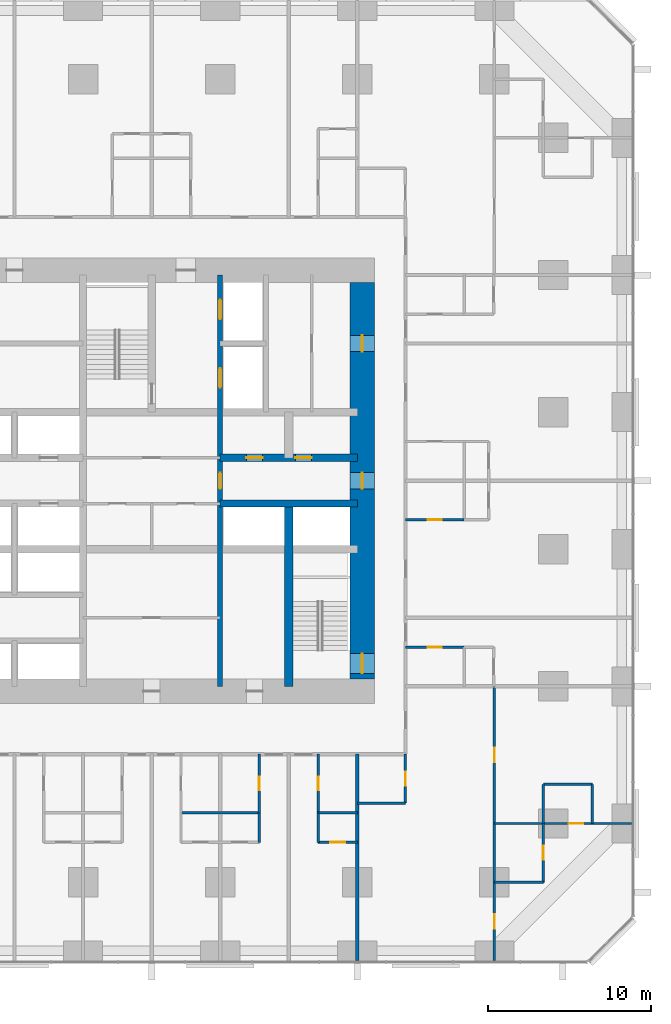
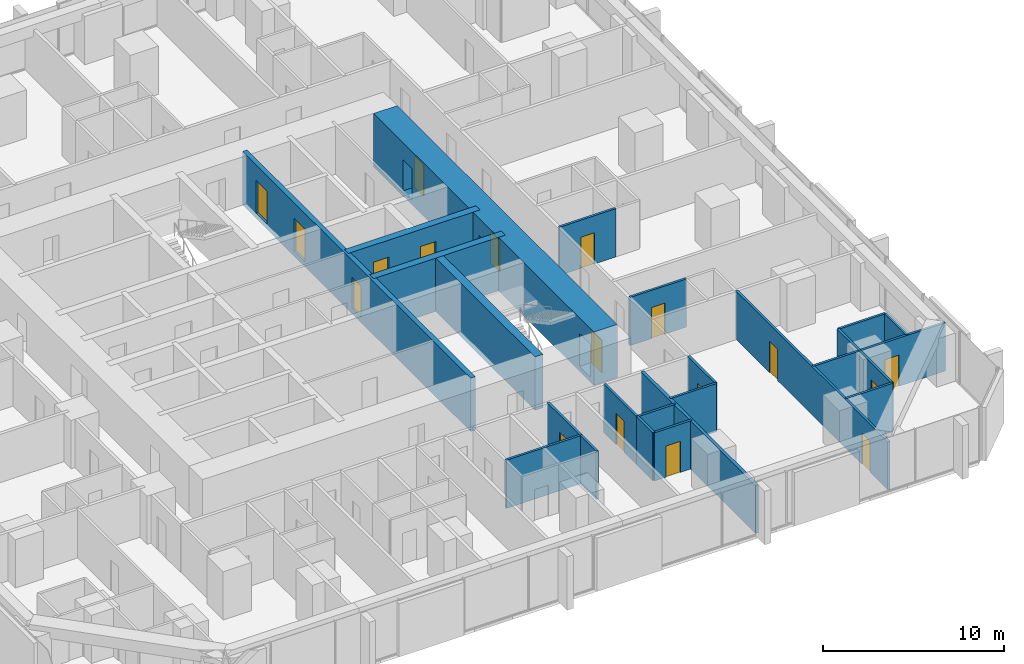
# One storey, part 13 of 17: 24 walls, 18 doors, 18 openings.
"""IFC4 building model written with IfcOpenShell, lengths in metres."""

from ifc_helpers import new_model, si_unit, direction, frame, frame_2d, origin, place, context, subcontext, project, spatial, rectangle, extrude, material, layer, layer_set, type_object, element, fill, save


model = new_model("IFC4")

# Units and contexts
model_context = context("Model", 3, precision=1e-05, world=origin(), true_north=direction((0.0, 1.0)))
body_context = subcontext(model_context, "Body", "Model", "MODEL_VIEW")
ifc_project = project(units=[si_unit("LENGTHUNIT", "METRE"), si_unit("AREAUNIT", "SQUARE_METRE"), si_unit("VOLUMEUNIT", "CUBIC_METRE"), si_unit("PLANEANGLEUNIT", "RADIAN"), si_unit("MASSUNIT", "GRAM", prefix="KILO")], contexts=[model_context])

# Site, building, storey
site_placement = place(None, origin())
site = spatial("IfcSite", under=ifc_project, at=site_placement, CompositionType="ELEMENT")
building_placement = place(site_placement, origin())
building = spatial("IfcBuilding", under=site, at=building_placement, Name="Dunama Terrace Hotel", CompositionType="ELEMENT")
storey_placement = place(building_placement, frame((0.0, 0.0, 70.199951171875)))
storey = spatial("IfcBuildingStorey", under=building, at=storey_placement, Name="L17", CompositionType="ELEMENT", Elevation=70.199951171875)

# Wall, opening, door
ifc_material_1 = material(Name="Gypsum board partition", Category="masonry")
ifc_layer_1 = layer(ifc_material_1, 0.14990234375)
ifc_layer_set_1 = layer_set([ifc_layer_1], Name="Bathroom partition 150")
wall_type_1 = type_object("IfcWallType", Name="Bathroom partition 150", PredefinedType="PARTITIONING", material=ifc_layer_set_1)
wall_1_placement = place(storey_placement, frame((36.0, 9.050048828125, 0.0), z_axis=(0.0, 0.0, 1.0), x_axis=(0.0, 1.0, 0.0)))
wall_1 = element("IfcWall", 1, at=wall_1_placement, inside=storey, type_object=wall_type_1, Name="Bathroom partition 150 L17", PredefinedType="PARTITIONING", context=body_context, shape_type="SweptSolid", body=[
    extrude(rectangle(XDim=3.599853515625, YDim=0.14990234375, at=frame_2d((1.7998046875, 0.0))), origin(), (0.0, 0.0, 1.0), 3.25),
])
opening_1_placement = place(wall_1_placement, frame((1.375, 0.0, 0.0)))
opening_1 = element("IfcOpeningElement", 2, at=opening_1_placement, cuts=wall_1, Name="Opening L17-19-022", PredefinedType="OPENING", context=body_context, shape_type="SweptSolid", body=[
    extrude(rectangle(XDim=0.85009765625, YDim=2.10009765625, at=frame_2d((0.425048828125, 1.050048828125))), frame((0.0, 0.0849609375, 0.0), z_axis=(0.0, -1.0, 0.0), x_axis=(1.0, 0.0, 0.0)), (0.0, 0.0, 1.0), 0.169921875),
])
ifc_material_2 = material(Name="Timber door with steel frame", Category="steel")
door_type_1 = type_object("IfcDoorType", Name="Bathroom door 850", OperationType="SINGLE_SWING_LEFT", PredefinedType="DOOR", material=ifc_material_2)
door_1_placement = place(opening_1_placement, origin())
door_1 = element("IfcDoor", 3, at=door_1_placement, inside=storey, type_object=door_type_1, Name="Door to en-suite bathroom L17-19-022, type D2", OperationType="SINGLE_SWING_RIGHT", OverallHeight=2.10009765625, OverallWidth=0.85009765625, PredefinedType="DOOR", context=body_context, shape_type="SweptSolid", body=[
    extrude(rectangle(XDim=0.85009765625, YDim=2.10009765625, at=frame_2d((0.425048828125, 1.050048828125))), frame((0.0, 0.02490234375, 0.0), z_axis=(0.0, -1.0, 0.0), x_axis=(1.0, 0.0, 0.0)), (0.0, 0.0, 1.0), 0.050048828125),
])
fill(opening_1, door_1)

wall_2_placement = place(storey_placement, frame((39.60009765625, 9.050048828125, 0.0), z_axis=(0.0, 0.0, 1.0), x_axis=(0.0, 1.0, 0.0)))
wall_2 = element("IfcWall", 4, at=wall_2_placement, inside=storey, type_object=wall_type_1, Name="Bathroom partition 150 L17", PredefinedType="PARTITIONING", context=body_context, shape_type="SweptSolid", body=[
    extrude(rectangle(XDim=3.599853515625, YDim=0.14990234375, at=frame_2d((1.7998046875, 0.0))), origin(), (0.0, 0.0, 1.0), 3.25),
])
opening_2_placement = place(wall_2_placement, frame((1.375, 0.0, 0.0)))
opening_2 = element("IfcOpeningElement", 5, at=opening_2_placement, cuts=wall_2, Name="Opening L17-19-025", PredefinedType="OPENING", context=body_context, shape_type="SweptSolid", body=[
    extrude(rectangle(XDim=0.85009765625, YDim=2.10009765625, at=frame_2d((0.425048828125, 1.050048828125))), frame((0.0, 0.0849609375, 0.0), z_axis=(0.0, -1.0, 0.0), x_axis=(1.0, 0.0, 0.0)), (0.0, 0.0, 1.0), 0.169921875),
])
door_2_placement = place(opening_2_placement, frame((0.85009765625, 0.0, 0.0), z_axis=(0.0, 0.0, 1.0), x_axis=(-1.0, 0.0, 0.0)))
door_2 = element("IfcDoor", 6, at=door_2_placement, inside=storey, type_object=door_type_1, Name="Door to en-suite bathroom L17-19-025, type D2", OperationType="SINGLE_SWING_LEFT", OverallHeight=2.10009765625, OverallWidth=0.85009765625, PredefinedType="DOOR", context=body_context, shape_type="SweptSolid", body=[
    extrude(rectangle(XDim=0.85009765625, YDim=2.10009765625, at=frame_2d((0.425048828125, 1.050048828125))), frame((0.0, 0.025146484375, 0.0), z_axis=(0.0, -1.0, 0.0), x_axis=(1.0, 0.0, 0.0)), (0.0, 0.0, 1.0), 0.050048828125),
])
fill(opening_2, door_2)

wall_3_placement = place(storey_placement, frame((44.949951171875, 9.64990234375, 0.0), z_axis=(0.0, 0.0, 1.0), x_axis=(0.0, 1.0, 0.0)))
wall_3 = element("IfcWall", 7, at=wall_3_placement, inside=storey, type_object=wall_type_1, Name="Bathroom partition 150 L17", PredefinedType="PARTITIONING", context=body_context, shape_type="SweptSolid", body=[
    extrude(rectangle(XDim=3.0, YDim=0.14990234375, at=frame_2d((1.5, 0.0))), origin(), (0.0, 0.0, 1.0), 3.25),
])
opening_3_placement = place(wall_3_placement, frame((1.074951171875, 0.0, 0.0)))
opening_3 = element("IfcOpeningElement", 8, at=opening_3_placement, cuts=wall_3, Name="Opening L17-19-067", PredefinedType="OPENING", context=body_context, shape_type="SweptSolid", body=[
    extrude(rectangle(XDim=0.85009765625, YDim=2.10009765625, at=frame_2d((0.425048828125, 1.050048828125))), frame((0.0, 0.0849609375, 0.0), z_axis=(0.0, -1.0, 0.0), x_axis=(1.0, 0.0, 0.0)), (0.0, 0.0, 1.0), 0.169921875),
])
door_3_placement = place(opening_3_placement, origin())
door_3 = element("IfcDoor", 9, at=door_3_placement, inside=storey, type_object=door_type_1, Name="Door to powder room L17-19-067, type D2", OperationType="SINGLE_SWING_RIGHT", OverallHeight=2.10009765625, OverallWidth=0.85009765625, PredefinedType="DOOR", context=body_context, shape_type="SweptSolid", body=[
    extrude(rectangle(XDim=0.85009765625, YDim=2.10009765625, at=frame_2d((0.425048828125, 1.050048828125))), frame((0.0, 0.02490234375, 0.0), z_axis=(0.0, -1.0, 0.0), x_axis=(1.0, 0.0, 0.0)), (0.0, 0.0, 1.0), 0.050048828125),
])
fill(opening_3, door_3)

wall_4_placement = place(storey_placement, frame((53.39990234375, 4.800048828125, 0.0), z_axis=(0.0, 0.0, 1.0), x_axis=(0.0, 1.0, 0.0)))
wall_4 = element("IfcWall", 10, at=wall_4_placement, inside=storey, type_object=wall_type_1, Name="Bathroom partition 150 L17", PredefinedType="PARTITIONING", context=body_context, shape_type="SweptSolid", body=[
    extrude(rectangle(XDim=3.599853515625, YDim=0.14990234375, at=frame_2d((1.7998046875, 0.0))), origin(), (0.0, 0.0, 1.0), 3.25),
])
opening_4_placement = place(wall_4_placement, frame((1.375, 0.0, 0.0)))
opening_4 = element("IfcOpeningElement", 11, at=opening_4_placement, cuts=wall_4, Name="Opening L17-19-069", PredefinedType="OPENING", context=body_context, shape_type="SweptSolid", body=[
    extrude(rectangle(XDim=0.85009765625, YDim=2.10009765625, at=frame_2d((0.425048828125, 1.050048828125))), frame((0.0, 0.0849609375, 0.0), z_axis=(0.0, -1.0, 0.0), x_axis=(1.0, 0.0, 0.0)), (0.0, 0.0, 1.0), 0.169921875),
])
door_4_placement = place(opening_4_placement, origin())
door_4 = element("IfcDoor", 12, at=door_4_placement, inside=storey, type_object=door_type_1, Name="Door to en-suite bathroom L17-19-069, type D2", OperationType="SINGLE_SWING_RIGHT", OverallHeight=2.10009765625, OverallWidth=0.85009765625, PredefinedType="DOOR", context=body_context, shape_type="SweptSolid", body=[
    extrude(rectangle(XDim=0.85009765625, YDim=2.10009765625, at=frame_2d((0.425048828125, 1.050048828125))), frame((0.0, 0.02490234375, 0.0), z_axis=(0.0, -1.0, 0.0), x_axis=(1.0, 0.0, 0.0)), (0.0, 0.0, 1.0), 0.050048828125),
])
fill(opening_4, door_4)

# Walls
wall_5_placement = place(storey_placement, frame((50.39990234375, 4.800048828125, 0.0), z_axis=(0.0, 0.0, 1.0), x_axis=(1.0, 0.0, 0.0)))
element("IfcWall", 13, at=wall_5_placement, inside=storey, type_object=wall_type_1, Name="Bathroom partition 150 L17", PredefinedType="PARTITIONING", context=body_context, shape_type="SweptSolid", body=[
    extrude(rectangle(XDim=3.0, YDim=0.14990234375, at=frame_2d((1.5, 0.0))), origin(), (0.0, 0.0, 1.0), 3.25),
])
wall_6_placement = place(storey_placement, frame((42.0, 9.64990234375, 0.0), z_axis=(0.0, 0.0, 1.0), x_axis=(1.0, 0.0, 0.0)))
element("IfcWall", 14, at=wall_6_placement, inside=storey, type_object=wall_type_1, Name="Bathroom partition 150 L17", PredefinedType="PARTITIONING", context=body_context, shape_type="SweptSolid", body=[
    extrude(rectangle(XDim=2.949951171875, YDim=0.14990234375, at=frame_2d((1.47509765625, 0.0))), origin(), (0.0, 0.0, 1.0), 3.25),
])

# Wall, opening, door
wall_7_placement = place(storey_placement, frame((44.949951171875, 19.199951171875, 0.0), z_axis=(0.0, 0.0, 1.0), x_axis=(1.0, 0.0, 0.0)))
wall_7 = element("IfcWall", 15, at=wall_7_placement, inside=storey, type_object=wall_type_1, Name="Bathroom partition 150 L17", PredefinedType="PARTITIONING", context=body_context, shape_type="SweptSolid", body=[
    extrude(rectangle(XDim=3.60009765625, YDim=0.14990234375, at=frame_2d((1.800048828125, 0.0))), origin(), (0.0, 0.0, 1.0), 3.25),
])
opening_5_placement = place(wall_7_placement, frame((1.375, 0.0, 0.0)))
opening_5 = element("IfcOpeningElement", 16, at=opening_5_placement, cuts=wall_7, Name="Opening L17-19-028", PredefinedType="OPENING", context=body_context, shape_type="SweptSolid", body=[
    extrude(rectangle(XDim=0.85009765625, YDim=2.10009765625, at=frame_2d((0.425048828125, 1.050048828125))), frame((0.0, 0.0849609375, 0.0), z_axis=(0.0, -1.0, 0.0), x_axis=(1.0, 0.0, 0.0)), (0.0, 0.0, 1.0), 0.169921875),
])
door_5_placement = place(opening_5_placement, frame((0.85009765625, 0.0, 0.0), z_axis=(0.0, 0.0, 1.0), x_axis=(-1.0, 0.0, 0.0)))
door_5 = element("IfcDoor", 17, at=door_5_placement, inside=storey, type_object=door_type_1, Name="Door to en-suite bathroom L17-19-028, type D2", OperationType="SINGLE_SWING_RIGHT", OverallHeight=2.10009765625, OverallWidth=0.85009765625, PredefinedType="DOOR", context=body_context, shape_type="SweptSolid", body=[
    extrude(rectangle(XDim=0.85009765625, YDim=2.10009765625, at=frame_2d((0.425048828125, 1.050048828125))), frame((0.0, 0.025146484375, 0.0), z_axis=(0.0, -1.0, 0.0), x_axis=(1.0, 0.0, 0.0)), (0.0, 0.0, 1.0), 0.050048828125),
])
fill(opening_5, door_5)

wall_8_placement = place(storey_placement, frame((44.949951171875, 27.0, 0.0), z_axis=(0.0, 0.0, 1.0), x_axis=(1.0, 0.0, 0.0)))
wall_8 = element("IfcWall", 18, at=wall_8_placement, inside=storey, type_object=wall_type_1, Name="Bathroom partition 150 L17", PredefinedType="PARTITIONING", context=body_context, shape_type="SweptSolid", body=[
    extrude(rectangle(XDim=3.60009765625, YDim=0.14990234375, at=frame_2d((1.800048828125, 0.0))), origin(), (0.0, 0.0, 1.0), 3.25),
])
opening_6_placement = place(wall_8_placement, frame((1.375, 0.0, 0.0)))
opening_6 = element("IfcOpeningElement", 19, at=opening_6_placement, cuts=wall_8, Name="Opening L17-19-031", PredefinedType="OPENING", context=body_context, shape_type="SweptSolid", body=[
    extrude(rectangle(XDim=0.85009765625, YDim=2.10009765625, at=frame_2d((0.425048828125, 1.050048828125))), frame((0.0, 0.0849609375, 0.0), z_axis=(0.0, -1.0, 0.0), x_axis=(1.0, 0.0, 0.0)), (0.0, 0.0, 1.0), 0.169921875),
])
door_6_placement = place(opening_6_placement, origin())
door_6 = element("IfcDoor", 20, at=door_6_placement, inside=storey, type_object=door_type_1, Name="Door to en-suite bathroom L17-19-031, type D2", OperationType="SINGLE_SWING_LEFT", OverallHeight=2.10009765625, OverallWidth=0.85009765625, PredefinedType="DOOR", context=body_context, shape_type="SweptSolid", body=[
    extrude(rectangle(XDim=0.85009765625, YDim=2.10009765625, at=frame_2d((0.425048828125, 1.050048828125))), frame((0.0, 0.02490234375, 0.0), z_axis=(0.0, -1.0, 0.0), x_axis=(1.0, 0.0, 0.0)), (0.0, 0.0, 1.0), 0.050048828125),
])
fill(opening_6, door_6)

# Wall, openings, doors
ifc_material_3 = material(Name="Concrete C50/60", Category="concrete")
ifc_layer_2 = layer(ifc_material_3, 0.300048828125)
ifc_layer_set_2 = layer_set([ifc_layer_2], Name="Core inner wall 300")
wall_type_2 = type_object("IfcWallType", Name="Core inner wall 300", PredefinedType="SHEAR", material=ifc_layer_set_2)
wall_9_placement = place(storey_placement, frame((33.60009765625, 16.800048828125, -0.349853515625), z_axis=(0.0, 0.0, 1.0), x_axis=(0.0, 1.0, 0.0)))
wall_9 = element("IfcWall", 21, at=wall_9_placement, inside=storey, type_object=wall_type_2, Name="Core inner wall 300 L17", PredefinedType="SHEAR", context=body_context, shape_type="SweptSolid", body=[
    extrude(rectangle(XDim=25.199951171875, YDim=0.300048828125, at=frame_2d((12.60009765625, 0.0))), origin(), (0.0, 0.0, 1.0), 3.599853515625),
])
opening_7_placement = place(wall_9_placement, frame((22.5, 0.0, 0.35009765625)))
opening_7 = element("IfcOpeningElement", 22, at=opening_7_placement, cuts=wall_9, Name="Opening L17-19-007", PredefinedType="OPENING", context=body_context, shape_type="SweptSolid", body=[
    extrude(rectangle(XDim=1.199951171875, YDim=2.199951171875, at=frame_2d((0.60009765625, 1.10009765625))), frame((0.0, 0.159912109375, 0.0), z_axis=(0.0, -1.0, 0.0), x_axis=(1.0, 0.0, 0.0)), (0.0, 0.0, 1.0), 0.320068359375),
])
opening_8_placement = place(wall_9_placement, frame((18.300048828125, 0.0, 0.35009765625)))
opening_8 = element("IfcOpeningElement", 23, at=opening_8_placement, cuts=wall_9, Name="Opening L17-19-008", PredefinedType="OPENING", context=body_context, shape_type="SweptSolid", body=[
    extrude(rectangle(XDim=1.199951171875, YDim=2.199951171875, at=frame_2d((0.60009765625, 1.10009765625))), frame((0.0, 0.159912109375, 0.0), z_axis=(0.0, -1.0, 0.0), x_axis=(1.0, 0.0, 0.0)), (0.0, 0.0, 1.0), 0.320068359375),
])
opening_9_placement = place(wall_9_placement, frame((12.10009765625, 0.0, 0.35009765625)))
opening_9 = element("IfcOpeningElement", 24, at=opening_9_placement, cuts=wall_9, Name="Opening L17-19-088", PredefinedType="OPENING", context=body_context, shape_type="SweptSolid", body=[
    extrude(rectangle(XDim=1.0, YDim=2.10009765625, at=frame_2d((0.5, 1.050048828125))), frame((0.0, 0.159912109375, 0.0), z_axis=(0.0, -1.0, 0.0), x_axis=(1.0, 0.0, 0.0)), (0.0, 0.0, 1.0), 0.320068359375),
])
ifc_material_4 = material(Name="Stainless steel lift door", Category="steel")
door_type_2 = type_object("IfcDoorType", Name="Firefighting lift landing door 1200", OperationType="DOUBLE_DOOR_SLIDING", PredefinedType="DOOR", material=ifc_material_4)
door_7_placement = place(opening_7_placement, origin())
door_7 = element("IfcDoor", 25, at=door_7_placement, inside=storey, type_object=door_type_2, Name="Landing door FL1 L17-19-007, type LD2", OperationType="DOUBLE_DOOR_SLIDING", OverallHeight=2.199951171875, OverallWidth=1.199951171875, PredefinedType="DOOR", context=body_context, shape_type="SweptSolid", body=[
    extrude(rectangle(XDim=1.199951171875, YDim=2.199951171875, at=frame_2d((0.60009765625, 1.10009765625))), frame((0.0, 0.02490234375, 0.0), z_axis=(0.0, -1.0, 0.0), x_axis=(1.0, 0.0, 0.0)), (0.0, 0.0, 1.0), 0.050048828125),
])
fill(opening_7, door_7)
door_8_placement = place(opening_8_placement, origin())
door_8 = element("IfcDoor", 26, at=door_8_placement, inside=storey, type_object=door_type_2, Name="Landing door FL2 L17-19-008, type LD2", OperationType="DOUBLE_DOOR_SLIDING", OverallHeight=2.199951171875, OverallWidth=1.199951171875, PredefinedType="DOOR", context=body_context, shape_type="SweptSolid", body=[
    extrude(rectangle(XDim=1.199951171875, YDim=2.199951171875, at=frame_2d((0.60009765625, 1.10009765625))), frame((0.0, 0.02490234375, 0.0), z_axis=(0.0, -1.0, 0.0), x_axis=(1.0, 0.0, 0.0)), (0.0, 0.0, 1.0), 0.050048828125),
])
fill(opening_8, door_8)
ifc_material_5 = material(Name="Timber door with steel frame", Category="steel")
door_type_3 = type_object("IfcDoorType", Name="Service door 1000", OperationType="SINGLE_SWING_LEFT", PredefinedType="DOOR", material=ifc_material_5)
door_9_placement = place(opening_9_placement, origin())
door_9 = element("IfcDoor", 27, at=door_9_placement, inside=storey, type_object=door_type_3, Name="Door to staff passage L17-19-088, type D7", OperationType="SINGLE_SWING_LEFT", OverallHeight=2.10009765625, OverallWidth=1.0, PredefinedType="DOOR", context=body_context, shape_type="SweptSolid", body=[
    extrude(rectangle(XDim=1.0, YDim=2.10009765625, at=frame_2d((0.5, 1.050048828125))), frame((0.0, 0.02490234375, 0.0), z_axis=(0.0, -1.0, 0.0), x_axis=(1.0, 0.0, 0.0)), (0.0, 0.0, 1.0), 0.050048828125),
])
fill(opening_9, door_9)

# Wall
ifc_material_6 = material(Name="Concrete C50/60", Category="concrete")
ifc_layer_3 = layer(ifc_material_6, 0.449951171875)
ifc_layer_set_3 = layer_set([ifc_layer_3], Name="Core inner wall 450")
wall_type_3 = type_object("IfcWallType", Name="Core inner wall 450", PredefinedType="SHEAR", material=ifc_layer_set_3)
wall_10_placement = place(storey_placement, frame((33.60009765625, 28.0, -0.349853515625), z_axis=(0.0, 0.0, 1.0), x_axis=(1.0, 0.0, 0.0)))
element("IfcWall", 28, at=wall_10_placement, inside=storey, type_object=wall_type_3, Name="Core inner wall 450 L17", PredefinedType="SHEAR", context=body_context, shape_type="SweptSolid", body=[
    extrude(rectangle(XDim=8.39990234375, YDim=0.449951171875, at=frame_2d((4.199951171875, 0.0))), origin(), (0.0, 0.0, 1.0), 3.599853515625),
])

# Wall, openings, doors
wall_11_placement = place(storey_placement, frame((33.60009765625, 30.800048828125, -0.349853515625), z_axis=(0.0, 0.0, 1.0), x_axis=(1.0, 0.0, 0.0)))
wall_11 = element("IfcWall", 29, at=wall_11_placement, inside=storey, type_object=wall_type_3, Name="Core inner wall 450 L17", PredefinedType="SHEAR", context=body_context, shape_type="SweptSolid", body=[
    extrude(rectangle(XDim=8.39990234375, YDim=0.449951171875, at=frame_2d((4.199951171875, 0.0))), origin(), (0.0, 0.0, 1.0), 3.599853515625),
])
opening_10_placement = place(wall_11_placement, frame((1.60009765625, 0.0, 0.35009765625)))
opening_10 = element("IfcOpeningElement", 30, at=opening_10_placement, cuts=wall_11, Name="Opening L17-19-092", PredefinedType="OPENING", context=body_context, shape_type="SweptSolid", body=[
    extrude(rectangle(XDim=1.0, YDim=2.10009765625, at=frame_2d((0.5, 1.050048828125))), frame((0.0, 0.23486328125, 0.0), z_axis=(0.0, -1.0, 0.0), x_axis=(1.0, 0.0, 0.0)), (0.0, 0.0, 1.0), 0.469970703125),
])
opening_11_placement = place(wall_11_placement, frame((4.60009765625, 0.0, 0.35009765625)))
opening_11 = element("IfcOpeningElement", 31, at=opening_11_placement, cuts=wall_11, Name="Opening L17-19-093", PredefinedType="OPENING", context=body_context, shape_type="SweptSolid", body=[
    extrude(rectangle(XDim=1.0, YDim=2.10009765625, at=frame_2d((0.5, 1.050048828125))), frame((0.0, 0.23486328125, 0.0), z_axis=(0.0, -1.0, 0.0), x_axis=(1.0, 0.0, 0.0)), (0.0, 0.0, 1.0), 0.469970703125),
])
door_10_placement = place(opening_10_placement, origin())
door_10 = element("IfcDoor", 32, at=door_10_placement, inside=storey, type_object=door_type_3, Name="Door to service riser L17-19-092, type D7", OperationType="SINGLE_SWING_RIGHT", OverallHeight=2.10009765625, OverallWidth=1.0, PredefinedType="DOOR", context=body_context, shape_type="SweptSolid", body=[
    extrude(rectangle(XDim=1.0, YDim=2.10009765625, at=frame_2d((0.5, 1.050048828125))), frame((0.0, 0.02490234375, 0.0), z_axis=(0.0, -1.0, 0.0), x_axis=(1.0, 0.0, 0.0)), (0.0, 0.0, 1.0), 0.050048828125),
])
fill(opening_10, door_10)
door_11_placement = place(opening_11_placement, origin())
door_11 = element("IfcDoor", 33, at=door_11_placement, inside=storey, type_object=door_type_3, Name="Door to cleaners store L17-19-093, type D7", OperationType="SINGLE_SWING_LEFT", OverallHeight=2.10009765625, OverallWidth=1.0, PredefinedType="DOOR", context=body_context, shape_type="SweptSolid", body=[
    extrude(rectangle(XDim=1.0, YDim=2.10009765625, at=frame_2d((0.5, 1.050048828125))), frame((0.0, 0.02490234375, 0.0), z_axis=(0.0, -1.0, 0.0), x_axis=(1.0, 0.0, 0.0)), (0.0, 0.0, 1.0), 0.050048828125),
])
fill(opening_11, door_11)

# Wall
ifc_material_7 = material(Name="Concrete C50/60", Category="concrete")
ifc_layer_4 = layer(ifc_material_7, 0.5)
ifc_layer_set_4 = layer_set([ifc_layer_4], Name="Core inner wall 500")
wall_type_4 = type_object("IfcWallType", Name="Core inner wall 500", PredefinedType="SHEAR", material=ifc_layer_set_4)
wall_12_placement = place(storey_placement, frame((37.800048828125, 16.800048828125, -0.349853515625), z_axis=(0.0, 0.0, 1.0), x_axis=(0.0, 1.0, 0.0)))
element("IfcWall", 34, at=wall_12_placement, inside=storey, type_object=wall_type_4, Name="Core inner wall 500 L17", PredefinedType="SHEAR", context=body_context, shape_type="SweptSolid", body=[
    extrude(rectangle(XDim=11.199951171875, YDim=0.5, at=frame_2d((5.60009765625, 0.0))), origin(), (0.0, 0.0, 1.0), 3.599853515625),
])

# Wall, openings, doors
ifc_material_8 = material(Name="Concrete C60/75", Category="concrete")
ifc_layer_5 = layer(ifc_material_8, 1.5)
ifc_layer_set_5 = layer_set([ifc_layer_5], Name="Core wall 1500")
wall_type_5 = type_object("IfcWallType", Name="Core wall 1500", PredefinedType="SHEAR", material=ifc_layer_set_5)
wall_13_placement = place(storey_placement, frame((42.300048828125, 17.25, -0.349853515625), z_axis=(0.0, 0.0, 1.0), x_axis=(0.0, 1.0, 0.0)))
wall_13 = element("IfcWall", 35, at=wall_13_placement, inside=storey, type_object=wall_type_5, Name="Core wall east L17", PredefinedType="SHEAR", context=body_context, shape_type="SweptSolid", body=[
    extrude(rectangle(XDim=24.300048828125, YDim=1.5, at=frame_2d((12.14990234375, 0.0))), origin(), (0.0, 0.0, 1.0), 3.599853515625),
])
opening_12_placement = place(wall_13_placement, frame((0.35009765625, 0.0, 0.35009765625)))
opening_12 = element("IfcOpeningElement", 36, at=opening_12_placement, cuts=wall_13, Name="Opening L17-19-002", PredefinedType="OPENING", context=body_context, shape_type="SweptSolid", body=[
    extrude(rectangle(XDim=1.199951171875, YDim=2.199951171875, at=frame_2d((0.60009765625, 1.10009765625))), frame((0.0, 0.760009765625, 0.0), z_axis=(0.0, -1.0, 0.0), x_axis=(1.0, 0.0, 0.0)), (0.0, 0.0, 1.0), 1.52001953125),
])
opening_13_placement = place(wall_13_placement, frame((11.64990234375, 0.0, 0.35009765625)))
opening_13 = element("IfcOpeningElement", 37, at=opening_13_placement, cuts=wall_13, Name="Opening L17-19-094", PredefinedType="OPENING", context=body_context, shape_type="SweptSolid", body=[
    extrude(rectangle(XDim=1.0, YDim=2.10009765625, at=frame_2d((0.5, 1.050048828125))), frame((0.0, 0.760009765625, 0.0), z_axis=(0.0, -1.0, 0.0), x_axis=(1.0, 0.0, 0.0)), (0.0, 0.0, 1.0), 1.52001953125),
])
opening_14_placement = place(wall_13_placement, frame((20.050048828125, 0.0, 0.35009765625)))
opening_14 = element("IfcOpeningElement", 38, at=opening_14_placement, cuts=wall_13, Name="Opening L17-19-096", PredefinedType="OPENING", context=body_context, shape_type="SweptSolid", body=[
    extrude(rectangle(XDim=1.0, YDim=2.10009765625, at=frame_2d((0.5, 1.050048828125))), frame((0.0, 0.760009765625, 0.0), z_axis=(0.0, -1.0, 0.0), x_axis=(1.0, 0.0, 0.0)), (0.0, 0.0, 1.0), 1.52001953125),
])
door_12_placement = place(opening_13_placement, origin())
door_12 = element("IfcDoor", 39, at=door_12_placement, inside=storey, type_object=door_type_3, Name="Door to service lobby L17-19-094, type D7", OperationType="SINGLE_SWING_LEFT", OverallHeight=2.10009765625, OverallWidth=1.0, PredefinedType="DOOR", context=body_context, shape_type="SweptSolid", body=[
    extrude(rectangle(XDim=1.0, YDim=2.10009765625, at=frame_2d((0.5, 1.050048828125))), frame((0.0, 0.02490234375, 0.0), z_axis=(0.0, -1.0, 0.0), x_axis=(1.0, 0.0, 0.0)), (0.0, 0.0, 1.0), 0.050048828125),
])
fill(opening_13, door_12)
door_13_placement = place(opening_14_placement, origin())
door_13 = element("IfcDoor", 40, at=door_13_placement, inside=storey, type_object=door_type_3, Name="Door to housekeeping store L17-19-096, type D7", OperationType="SINGLE_SWING_LEFT", OverallHeight=2.10009765625, OverallWidth=1.0, PredefinedType="DOOR", context=body_context, shape_type="SweptSolid", body=[
    extrude(rectangle(XDim=1.0, YDim=2.10009765625, at=frame_2d((0.5, 1.050048828125))), frame((0.0, 0.02490234375, 0.0), z_axis=(0.0, -1.0, 0.0), x_axis=(1.0, 0.0, 0.0)), (0.0, 0.0, 1.0), 0.050048828125),
])
fill(opening_14, door_13)
ifc_material_9 = material(Name="Timber door with steel frame", Category="steel")
door_type_4 = type_object("IfcDoorType", Name="Stair door 1200", OperationType="SINGLE_SWING_LEFT", PredefinedType="DOOR", material=ifc_material_9)
door_14_placement = place(opening_12_placement, origin())
door_14 = element("IfcDoor", 41, at=door_14_placement, inside=storey, type_object=door_type_4, Name="Stair door ST2 L17-19-002, type D5", OperationType="SINGLE_SWING_LEFT", OverallHeight=2.199951171875, OverallWidth=1.199951171875, PredefinedType="DOOR", context=body_context, shape_type="SweptSolid", body=[
    extrude(rectangle(XDim=1.199951171875, YDim=2.199951171875, at=frame_2d((0.60009765625, 1.10009765625))), frame((0.0, 0.02490234375, 0.0), z_axis=(0.0, -1.0, 0.0), x_axis=(1.0, 0.0, 0.0)), (0.0, 0.0, 1.0), 0.050048828125),
])
fill(opening_12, door_14)

# Walls
ifc_material_10 = material(Name="Concrete blockwork", Category="masonry")
ifc_layer_6 = layer(ifc_material_10, 0.199951171875)
ifc_layer_set_6 = layer_set([ifc_layer_6], Name="Party wall 200")
wall_type_6 = type_object("IfcWallType", Name="Party wall 200", PredefinedType="PARTITIONING", material=ifc_layer_set_6)
wall_14_placement = place(storey_placement, frame((42.0, -0.008056640625, 0.0), z_axis=(0.0, 0.0, 1.0), x_axis=(0.0, 1.0, 0.0)))
element("IfcWall", 42, at=wall_14_placement, inside=storey, type_object=wall_type_6, Name="Party wall 200 L17", PredefinedType="PARTITIONING", context=body_context, shape_type="SweptSolid", body=[
    extrude(rectangle(XDim=12.657958984375, YDim=0.199951171875, at=frame_2d((6.3291015625, 0.0))), origin(), (0.0, 0.0, 1.0), 3.25),
])
ifc_material_11 = material(Name="Gypsum board partition", Category="masonry")
ifc_layer_7 = layer(ifc_material_11, 0.14990234375)
ifc_layer_set_7 = layer_set([ifc_layer_7], Name="Room partition 150")
wall_type_7 = type_object("IfcWallType", Name="Room partition 150", PredefinedType="PARTITIONING", material=ifc_layer_set_7)
for number, where, z_axis, x_axis, name in (
    (43, (36.0, 7.25, 0.0), (0.0, 0.0, 1.0), (0.0, 1.0, 0.0), "Room partition 150 L17"),
    (44, (39.60009765625, 7.25, 0.0), (0.0, 0.0, 1.0), (0.0, 1.0, 0.0), "Room partition 150 L17"),
):
    element("IfcWall", number, at=place(storey_placement, frame(where, z_axis=z_axis, x_axis=x_axis)), inside=storey, type_object=wall_type_7, Name=name, PredefinedType="PARTITIONING", context=body_context, shape_type="SweptSolid", body=[
        extrude(rectangle(XDim=1.800048828125, YDim=0.14990234375, at=frame_2d((0.89990234375, 0.0))), origin(), (0.0, 0.0, 1.0), 3.25),
    ])

# Wall, openings, doors
wall_15_placement = place(storey_placement, frame((50.39990234375, -0.008056640625, 0.0), z_axis=(0.0, 0.0, 1.0), x_axis=(0.0, 1.0, 0.0)))
wall_15 = element("IfcWall", 45, at=wall_15_placement, inside=storey, type_object=wall_type_7, Name="Room partition 150 L17", PredefinedType="PARTITIONING", context=body_context, shape_type="SweptSolid", body=[
    extrude(rectangle(XDim=16.80810546875, YDim=0.14990234375, at=frame_2d((8.404052734375, 0.0))), origin(), (0.0, 0.0, 1.0), 3.25),
])
opening_15_placement = place(wall_15_placement, frame((1.9580078125, 0.0, 0.0)))
opening_15 = element("IfcOpeningElement", 46, at=opening_15_placement, cuts=wall_15, Name="Opening L17-19-068", PredefinedType="OPENING", context=body_context, shape_type="SweptSolid", body=[
    extrude(rectangle(XDim=0.89990234375, YDim=2.10009765625, at=frame_2d((0.449951171875, 1.050048828125))), frame((0.0, 0.0849609375, 0.0), z_axis=(0.0, -1.0, 0.0), x_axis=(1.0, 0.0, 0.0)), (0.0, 0.0, 1.0), 0.169921875),
])
opening_16_placement = place(wall_15_placement, frame((12.157958984375, 0.0, 0.0)))
opening_16 = element("IfcOpeningElement", 47, at=opening_16_placement, cuts=wall_15, Name="Opening L17-19-071", PredefinedType="OPENING", context=body_context, shape_type="SweptSolid", body=[
    extrude(rectangle(XDim=0.89990234375, YDim=2.10009765625, at=frame_2d((0.449951171875, 1.050048828125))), frame((0.0, 0.0849609375, 0.0), z_axis=(0.0, -1.0, 0.0), x_axis=(1.0, 0.0, 0.0)), (0.0, 0.0, 1.0), 0.169921875),
])
ifc_material_12 = material(Name="Timber door with steel frame", Category="steel")
door_type_5 = type_object("IfcDoorType", Name="Suite internal door 900", OperationType="SINGLE_SWING_LEFT", PredefinedType="DOOR", material=ifc_material_12)
door_15_placement = place(opening_15_placement, frame((0.89990234375, 0.0, 0.0), z_axis=(0.0, 0.0, 1.0), x_axis=(-1.0, 0.0, 0.0)))
door_15 = element("IfcDoor", 48, at=door_15_placement, inside=storey, type_object=door_type_5, Name="Door to corner suite bedroom L17-19-068, type D16", OperationType="SINGLE_SWING_RIGHT", OverallHeight=2.10009765625, OverallWidth=0.89990234375, PredefinedType="DOOR", context=body_context, shape_type="SweptSolid", body=[
    extrude(rectangle(XDim=0.89990234375, YDim=2.10009765625, at=frame_2d((0.449951171875, 1.050048828125))), frame((0.0, 0.025146484375, 0.0), z_axis=(0.0, -1.0, 0.0), x_axis=(1.0, 0.0, 0.0)), (0.0, 0.0, 1.0), 0.050048828125),
])
fill(opening_15, door_15)
door_16_placement = place(opening_16_placement, frame((0.89990234375, 0.0, 0.0), z_axis=(0.0, 0.0, 1.0), x_axis=(-1.0, 0.0, 0.0)))
door_16 = element("IfcDoor", 49, at=door_16_placement, inside=storey, type_object=door_type_5, Name="Door to corner suite study L17-19-071, type D16", OperationType="SINGLE_SWING_RIGHT", OverallHeight=2.10009765625, OverallWidth=0.89990234375, PredefinedType="DOOR", context=body_context, shape_type="SweptSolid", body=[
    extrude(rectangle(XDim=0.89990234375, YDim=2.10009765625, at=frame_2d((0.449951171875, 1.050048828125))), frame((0.0, 0.025146484375, 0.0), z_axis=(0.0, -1.0, 0.0), x_axis=(1.0, 0.0, 0.0)), (0.0, 0.0, 1.0), 0.050048828125),
])
fill(opening_16, door_16)

# Walls
for number, where, z_axis, x_axis, name in (
    (50, (53.39990234375, 8.39990234375, 0.0), (0.0, 0.0, 1.0), (0.0, 1.0, 0.0), "Room partition 150 L17"),
    (51, (56.39990234375, 8.39990234375, 0.0), (0.0, 0.0, 1.0), (0.0, 1.0, 0.0), "Room partition 150 L17"),
):
    element("IfcWall", number, at=place(storey_placement, frame(where, z_axis=z_axis, x_axis=x_axis)), inside=storey, type_object=wall_type_7, Name=name, PredefinedType="PARTITIONING", context=body_context, shape_type="SweptSolid", body=[
        extrude(rectangle(XDim=2.400146484375, YDim=0.14990234375, at=frame_2d((1.2001953125, 0.0))), origin(), (0.0, 0.0, 1.0), 3.25),
    ])

# Wall, opening, door
wall_16_placement = place(storey_placement, frame((39.60009765625, 7.25, 0.0), z_axis=(0.0, 0.0, 1.0), x_axis=(1.0, 0.0, 0.0)))
wall_16 = element("IfcWall", 52, at=wall_16_placement, inside=storey, type_object=wall_type_7, Name="Room partition 150 L17", PredefinedType="PARTITIONING", context=body_context, shape_type="SweptSolid", body=[
    extrude(rectangle(XDim=2.39990234375, YDim=0.14990234375, at=frame_2d((1.199951171875, 0.0))), origin(), (0.0, 0.0, 1.0), 3.25),
])
opening_17_placement = place(wall_16_placement, frame((0.75, 0.0, 0.0)))
opening_17 = element("IfcOpeningElement", 53, at=opening_17_placement, cuts=wall_16, Name="Opening L17-19-026", PredefinedType="OPENING", context=body_context, shape_type="SweptSolid", body=[
    extrude(rectangle(XDim=0.89990234375, YDim=2.10009765625, at=frame_2d((0.449951171875, 1.050048828125))), frame((0.0, 0.0849609375, 0.0), z_axis=(0.0, -1.0, 0.0), x_axis=(1.0, 0.0, 0.0)), (0.0, 0.0, 1.0), 0.169921875),
])
door_17_placement = place(opening_17_placement, origin())
door_17 = element("IfcDoor", 54, at=door_17_placement, inside=storey, type_object=door_type_5, Name="Door to walk-in wardrobe L17-19-026, type D16", OperationType="SINGLE_SWING_RIGHT", OverallHeight=2.10009765625, OverallWidth=0.89990234375, PredefinedType="DOOR", context=body_context, shape_type="SweptSolid", body=[
    extrude(rectangle(XDim=0.89990234375, YDim=2.10009765625, at=frame_2d((0.449951171875, 1.050048828125))), frame((0.0, 0.02490234375, 0.0), z_axis=(0.0, -1.0, 0.0), x_axis=(1.0, 0.0, 0.0)), (0.0, 0.0, 1.0), 0.050048828125),
])
fill(opening_17, door_17)

wall_17_placement = place(storey_placement, frame((50.39990234375, 8.39990234375, 0.0), z_axis=(0.0, 0.0, 1.0), x_axis=(1.0, 0.0, 0.0)))
wall_17 = element("IfcWall", 55, at=wall_17_placement, inside=storey, type_object=wall_type_7, Name="Room partition 150 L17", PredefinedType="PARTITIONING", context=body_context, shape_type="SweptSolid", body=[
    extrude(rectangle(XDim=8.408203125, YDim=0.14990234375, at=frame_2d((4.2041015625, 0.0))), origin(), (0.0, 0.0, 1.0), 3.25),
])
opening_18_placement = place(wall_17_placement, frame((4.550048828125, 0.0, 0.0)))
opening_18 = element("IfcOpeningElement", 56, at=opening_18_placement, cuts=wall_17, Name="Opening L17-19-070", PredefinedType="OPENING", context=body_context, shape_type="SweptSolid", body=[
    extrude(rectangle(XDim=0.89990234375, YDim=2.10009765625, at=frame_2d((0.449951171875, 1.050048828125))), frame((0.0, 0.0849609375, 0.0), z_axis=(0.0, -1.0, 0.0), x_axis=(1.0, 0.0, 0.0)), (0.0, 0.0, 1.0), 0.169921875),
])
door_18_placement = place(opening_18_placement, origin())
door_18 = element("IfcDoor", 57, at=door_18_placement, inside=storey, type_object=door_type_5, Name="Door to dressing room L17-19-070, type D16", OperationType="SINGLE_SWING_LEFT", OverallHeight=2.10009765625, OverallWidth=0.89990234375, PredefinedType="DOOR", context=body_context, shape_type="SweptSolid", body=[
    extrude(rectangle(XDim=0.89990234375, YDim=2.10009765625, at=frame_2d((0.449951171875, 1.050048828125))), frame((0.0, 0.02490234375, 0.0), z_axis=(0.0, -1.0, 0.0), x_axis=(1.0, 0.0, 0.0)), (0.0, 0.0, 1.0), 0.050048828125),
])
fill(opening_18, door_18)

# Walls
wall_18_placement = place(storey_placement, frame((31.199951171875, 9.050048828125, 0.0), z_axis=(0.0, 0.0, 1.0), x_axis=(1.0, 0.0, 0.0)))
element("IfcWall", 58, at=wall_18_placement, inside=storey, type_object=wall_type_7, Name="Room partition 150 L17", PredefinedType="PARTITIONING", context=body_context, shape_type="SweptSolid", body=[
    extrude(rectangle(XDim=4.800048828125, YDim=0.14990234375, at=frame_2d((2.39990234375, 0.0))), origin(), (0.0, 0.0, 1.0), 3.25),
])
wall_19_placement = place(storey_placement, frame((39.60009765625, 9.050048828125, 0.0), z_axis=(0.0, 0.0, 1.0), x_axis=(1.0, 0.0, 0.0)))
element("IfcWall", 59, at=wall_19_placement, inside=storey, type_object=wall_type_7, Name="Room partition 150 L17", PredefinedType="PARTITIONING", context=body_context, shape_type="SweptSolid", body=[
    extrude(rectangle(XDim=2.39990234375, YDim=0.14990234375, at=frame_2d((1.199951171875, 0.0))), origin(), (0.0, 0.0, 1.0), 3.25),
])
wall_20_placement = place(storey_placement, frame((53.39990234375, 10.800048828125, 0.0), z_axis=(0.0, 0.0, 1.0), x_axis=(1.0, 0.0, 0.0)))
element("IfcWall", 60, at=wall_20_placement, inside=storey, type_object=wall_type_7, Name="Room partition 150 L17", PredefinedType="PARTITIONING", context=body_context, shape_type="SweptSolid", body=[
    extrude(rectangle(XDim=3.0, YDim=0.14990234375, at=frame_2d((1.5, 0.0))), origin(), (0.0, 0.0, 1.0), 3.25),
])

save(model, "model.ifc")
